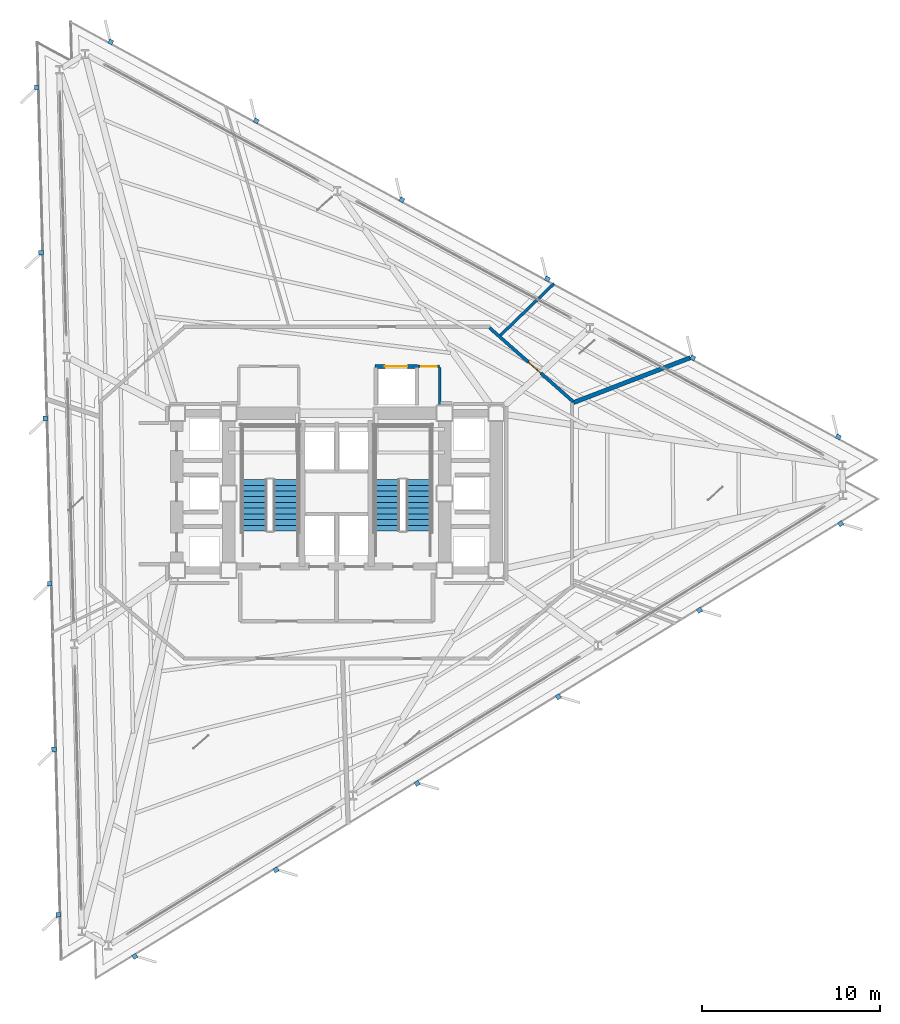
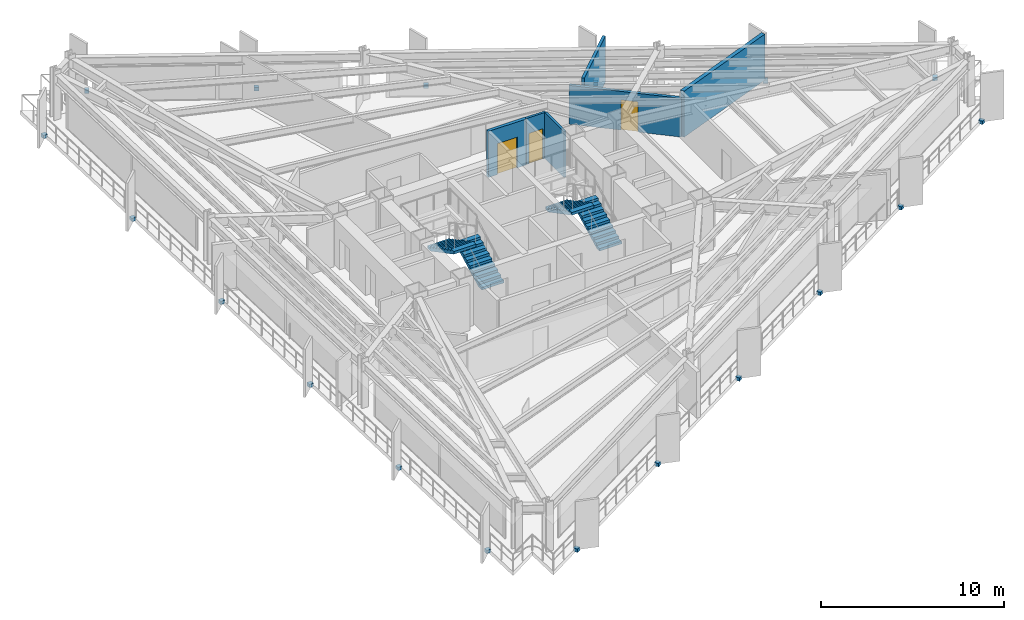
# One storey, part 9 of 14: 18 discrete accessories, 6 walls, 4 stair flights, 3 doors, 3 openings, 2 elements without a shape of their own.
"""IFC4 building model written with IfcOpenShell, lengths in metres."""

from ifc_helpers import new_model, si_unit, direction, frame, frame_2d, origin, origin_2d, place, context, subcontext, project, spatial, polyline, rectangle, outline, extrude, material, layer, layer_set, type_object, element, fill, aggregate, save


model = new_model("IFC4")

# Units and contexts
model_context = context("Model", 3, precision=1e-05, world=origin(), true_north=direction((0.0, 1.0)))
body_context = subcontext(model_context, "Body", "Model", "MODEL_VIEW")
ifc_project = project(units=[si_unit("LENGTHUNIT", "METRE"), si_unit("AREAUNIT", "SQUARE_METRE"), si_unit("VOLUMEUNIT", "CUBIC_METRE"), si_unit("PLANEANGLEUNIT", "RADIAN"), si_unit("MASSUNIT", "GRAM", prefix="KILO")], contexts=[model_context])

# Site, building, storey
site_placement = place(None, origin())
site = spatial("IfcSite", under=ifc_project, at=site_placement, CompositionType="ELEMENT")
building_placement = place(site_placement, origin())
building = spatial("IfcBuilding", under=site, at=building_placement, Name="Rocaltana Carrier Exchange", CompositionType="ELEMENT")
storey_placement = place(building_placement, frame((0.0, 0.0, 22.239990234375)))
storey = spatial("IfcBuildingStorey", under=building, at=storey_placement, Name="L07", CompositionType="ELEMENT", Elevation=22.239990234375)

# Wall
ifc_material_1 = material(Name="Double Acoustic Gypsum Partition", Category="gypsum")
ifc_layer_1 = layer(ifc_material_1, 0.159912109375)
ifc_layer_set_1 = layer_set([ifc_layer_1], Name="Double Acoustic Gypsum Partition")
wall_type_1 = type_object("IfcWallType", Name="Acoustic Studio Partition 160 EI60", PredefinedType="PARTITIONING", material=ifc_layer_set_1)
wall_1_placement = place(storey_placement, frame((9.17529296875, 8.860595703125, 0.0), z_axis=(0.0, 0.0, 1.0), x_axis=(0.719367279815, 0.694629913502, 0.0)))
element("IfcWall", 1, at=wall_1_placement, inside=storey, type_object=wall_type_1, Name="L07 Suite Divider Wall D6", PredefinedType="PARTITIONING", context=body_context, shape_type="SweptSolid", body=[
    extrude(rectangle(XDim=4.1845703125, YDim=0.159912109375, at=frame_2d((2.09228515625, 0.0))), origin(), (0.0, 0.0, 1.0), 3.072998046875),
])

# Wall, opening, door
ifc_material_2 = material(Name="Gypsum & Steel Stud Partition", Category="steel")
ifc_layer_2 = layer(ifc_material_2, 0.179931640625)
ifc_layer_set_2 = layer_set([ifc_layer_2], Name="Gypsum & Steel Stud Partition")
wall_type_2 = type_object("IfcWallType", Name="Corridor Fire Partition 180 EI60", PredefinedType="PARTITIONING", material=ifc_layer_set_2)
wall_2_placement = place(storey_placement, frame((8.5673828125, 9.290283203125, 0.0), z_axis=(0.0, 0.0, 1.0), x_axis=(0.749626463267, -0.66186113768, 0.0)))
wall_2 = element("IfcWall", 2, at=wall_2_placement, inside=storey, type_object=wall_type_2, Name="L07 Corridor Partition 2", PredefinedType="PARTITIONING", context=body_context, shape_type="SweptSolid", body=[
    extrude(rectangle(XDim=6.27001953125, YDim=0.179931640625, at=frame_2d((3.135009765625, 0.0))), origin(), (0.0, 0.0, 1.0), 2.5869140625),
])
opening_1_placement = place(wall_2_placement, frame((2.89501953125, 0.0, 0.0)))
opening_1 = element("IfcOpeningElement", 3, at=opening_1_placement, cuts=wall_2, Name="Opening D-RM098", PredefinedType="OPENING", context=body_context, shape_type="SweptSolid", body=[
    extrude(rectangle(XDim=0.9599609375, YDim=2.02001953125, at=frame_2d((0.47998046875, 1.010009765625))), frame((0.0, 0.099853515625, 0.0), z_axis=(0.0, -1.0, 0.0), x_axis=(1.0, 0.0, 0.0)), (0.0, 0.0, 1.0), 0.199951171875),
])
ifc_material_3 = material(Name="Engineered Hardwood Timber", Category="wood")
door_type_1 = type_object("IfcDoorType", Name="Workspace Single Door 960x2020", OperationType="NOTDEFINED", PredefinedType="DOOR", material=ifc_material_3)
door_1_placement = place(opening_1_placement, origin())
door_1 = element("IfcDoor", 4, at=door_1_placement, inside=storey, type_object=door_type_1, Name="L07 Peering Conference Room Entrance Door", OperationType="SINGLE_SWING_RIGHT", OverallHeight=2.02001953125, OverallWidth=0.9599609375, PredefinedType="DOOR", context=body_context, shape_type="SweptSolid", body=[
    extrude(rectangle(XDim=0.9599609375, YDim=2.02001953125, at=frame_2d((0.47998046875, 1.010009765625))), frame((0.0, 0.02490234375, 0.0), z_axis=(0.0, -1.0, 0.0), x_axis=(1.0, 0.0, 0.0)), (0.0, 0.0, 1.0), 0.050048828125),
])
fill(opening_1, door_1)

# Wall
ifc_material_4 = material(Name="Acoustic Calcium Silicate Partition", Category="gypsum")
ifc_layer_3 = layer(ifc_material_4, 0.239990234375)
ifc_layer_set_3 = layer_set([ifc_layer_3], Name="Acoustic Calcium Silicate Partition")
wall_type_3 = type_object("IfcWallType", Name="Heavy Lab Partition 240 EI90", PredefinedType="PARTITIONING", material=ifc_layer_set_3)
wall_3_placement = place(storey_placement, frame((13.280029296875, 5.09765625, 0.0), z_axis=(0.0, 0.0, 1.0), x_axis=(0.933577510578, 0.358375545681, 0.0)))
element("IfcWall", 5, at=wall_3_placement, inside=storey, type_object=wall_type_3, Name="L07 Suite Divider Wall D5", PredefinedType="PARTITIONING", context=body_context, shape_type="SweptSolid", body=[
    extrude(rectangle(XDim=7.021484375, YDim=0.239990234375, at=frame_2d((3.5107421875, 0.0))), origin(), (0.0, 0.0, 1.0), 3.072998046875),
])

# Wall, opening, door
ifc_material_5 = material(Name="Reinforced Concrete Block C35/45", Category="concrete")
ifc_layer_4 = layer(ifc_material_5, 0.199951171875)
ifc_layer_set_4 = layer_set([ifc_layer_4], Name="Reinforced Concrete Block C35/45")
wall_type_4 = type_object("IfcWallType", Name="Lift Hoistway Enclosure Wall 200 EI120", PredefinedType="PARTITIONING", material=ifc_layer_set_4)
wall_4_placement = place(storey_placement, frame((2.14990234375, 7.1201171875, 0.0), z_axis=(0.0, 0.0, 1.0), x_axis=(1.0, 0.0, 0.0)))
wall_4 = element("IfcWall", 6, at=wall_4_placement, inside=storey, type_object=wall_type_4, Name="L07 Goods Lift Front Wall", PredefinedType="PARTITIONING", context=body_context, shape_type="SweptSolid", body=[
    extrude(rectangle(XDim=2.380126953125, YDim=0.199951171875, at=frame_2d((1.18994140625, 0.0))), origin(), (0.0, 0.0, 1.0), 3.072998046875),
])
opening_2_placement = place(wall_4_placement, frame((0.56005859375, 0.0, 0.0)))
opening_2 = element("IfcOpeningElement", 7, at=opening_2_placement, cuts=wall_4, Name="Opening LD-130", PredefinedType="OPENING", context=body_context, shape_type="SweptSolid", body=[
    extrude(rectangle(XDim=1.260009765625, YDim=2.06005859375, at=frame_2d((0.6298828125, 1.030029296875))), frame((0.0, 0.10986328125, 0.0), z_axis=(0.0, -1.0, 0.0), x_axis=(1.0, 0.0, 0.0)), (0.0, 0.0, 1.0), 0.219970703125),
])
ifc_material_6 = material(Name="Brushed Stainless Sliding Door Leaf", Category="steel")
door_type_2 = type_object("IfcDoorType", Name="Goods Lift Landing Sliding Door 1260x2060", OperationType="NOTDEFINED", PredefinedType="DOOR", material=ifc_material_6)
door_2_placement = place(opening_2_placement, origin())
door_2 = element("IfcDoor", 8, at=door_2_placement, inside=storey, type_object=door_type_2, Name="L07 Goods Lift GL-1 Landing Door", OperationType="SLIDING_TO_LEFT", OverallHeight=2.06005859375, OverallWidth=1.260009765625, PredefinedType="DOOR", context=body_context, shape_type="SweptSolid", body=[
    extrude(rectangle(XDim=1.260009765625, YDim=2.06005859375, at=frame_2d((0.6298828125, 1.030029296875))), frame((0.0, 0.02490234375, 0.0), z_axis=(0.0, -1.0, 0.0), x_axis=(1.0, 0.0, 0.0)), (0.0, 0.0, 1.0), 0.050048828125),
])
fill(opening_2, door_2)

# Wall
ifc_material_7 = material(Name="Moisture-Resistant Masonry C30/37", Category="masonry")
ifc_layer_5 = layer(ifc_material_7, 0.139892578125)
ifc_layer_set_5 = layer_set([ifc_layer_5], Name="Moisture-Resistant Masonry C30/37")
wall_type_5 = type_object("IfcWallType", Name="Wet-Area Sanitary Partition 140", PredefinedType="PARTITIONING", material=ifc_layer_set_5)
wall_5_placement = place(storey_placement, frame((5.780029296875, 4.949951171875, 0.0), z_axis=(0.0, 0.0, 1.0), x_axis=(0.0, 1.0, 0.0)))
element("IfcWall", 9, at=wall_5_placement, inside=storey, type_object=wall_type_5, Name="L07 Restroom East Wall", PredefinedType="PARTITIONING", context=body_context, shape_type="SweptSolid", body=[
    extrude(rectangle(XDim=2.10009765625, YDim=0.139892578125, at=frame_2d((1.050048828125, 0.0))), origin(), (0.0, 0.0, 1.0), 3.072998046875),
])

# Wall, opening, door
wall_6_placement = place(storey_placement, frame((4.56005859375, 7.1201171875, 0.0), z_axis=(0.0, 0.0, 1.0), x_axis=(1.0, 0.0, 0.0)))
wall_6 = element("IfcWall", 10, at=wall_6_placement, inside=storey, type_object=wall_type_5, Name="L07 Restroom North Wall", PredefinedType="PARTITIONING", context=body_context, shape_type="SweptSolid", body=[
    extrude(rectangle(XDim=1.219970703125, YDim=0.139892578125, at=frame_2d((0.60986328125, 0.0))), origin(), (0.0, 0.0, 1.0), 3.072998046875),
])
opening_3_placement = place(wall_6_placement, frame((0.169921875, 0.0, 0.0)))
opening_3 = element("IfcOpeningElement", 11, at=opening_3_placement, cuts=wall_6, Name="Opening D-WC090", PredefinedType="OPENING", context=body_context, shape_type="SweptSolid", body=[
    extrude(rectangle(XDim=0.8798828125, YDim=2.02001953125, at=frame_2d((0.43994140625, 1.010009765625))), frame((0.0, 0.079833984375, 0.0), z_axis=(0.0, -1.0, 0.0), x_axis=(1.0, 0.0, 0.0)), (0.0, 0.0, 1.0), 0.159912109375),
])
ifc_material_8 = material(Name="High-Pressure Laminate Timber", Category="wood")
door_type_3 = type_object("IfcDoorType", Name="Restroom & Accessible WC Door 880x2020", OperationType="NOTDEFINED", PredefinedType="DOOR", material=ifc_material_8)
door_3_placement = place(opening_3_placement, origin())
door_3 = element("IfcDoor", 12, at=door_3_placement, inside=storey, type_object=door_type_3, Name="L07 Staff Restroom Door", OperationType="SINGLE_SWING_LEFT", OverallHeight=2.02001953125, OverallWidth=0.8798828125, PredefinedType="DOOR", context=body_context, shape_type="SweptSolid", body=[
    extrude(rectangle(XDim=0.8798828125, YDim=2.02001953125, at=frame_2d((0.43994140625, 1.010009765625))), frame((0.0, 0.02490234375, 0.0), z_axis=(0.0, -1.0, 0.0), x_axis=(1.0, 0.0, 0.0)), (0.0, 0.0, 1.0), 0.050048828125),
])
fill(opening_3, door_3)

# Stair, stair flights
ifc_material_9 = material(Name="Precast concrete C45/55", Category="concrete")
stair_type = type_object("IfcStairType", Name="Standard Dog-Leg Stair 160", PredefinedType="HALF_TURN_STAIR", material=ifc_material_9)
stair_1_placement = place(storey_placement, origin())
stair_1 = element("IfcStair", 13, at=stair_1_placement, inside=storey, type_object=stair_type, Name="L07 Core West Exit Stair ST-1", PredefinedType="HALF_TURN_STAIR")
ifc_material_10 = material(Name="Precast concrete C45/55", Category="concrete")
stair_flight_type = type_object("IfcStairFlightType", Name="Precast Stair Flight 160", PredefinedType="STRAIGHT", material=ifc_material_10)
stair_flight_1_placement = place(storey_placement, frame((-2.840087890625, -2.10009765625, 0.0), z_axis=(0.0, 0.0, 1.0), x_axis=(0.0, 1.0, 0.0)))
stair_flight_1 = element("IfcStairFlight", 14, at=stair_flight_1_placement, type_object=stair_flight_type, Name="ST-1 flight 1", NumberOfRisers=10, NumberOfTreads=9, PredefinedType="STRAIGHT", RiserHeight=0.168, TreadLength=0.32, context=body_context, shape_type="SweptSolid", body=[
    extrude(outline(polyline([(0.0, 0.0), (0.0, 0.16796875), (0.320068359375, 0.16796875), (0.320068359375, 0.3359375), (0.639892578125, 0.3359375), (0.639892578125, 0.50390625), (0.9599609375, 0.50390625), (0.9599609375, 0.672119140625), (1.280029296875, 0.672119140625), (1.280029296875, 0.840087890625), (1.60009765625, 0.840087890625), (1.60009765625, 1.008056640625), (1.919921875, 1.008056640625), (1.919921875, 1.176025390625), (2.239990234375, 1.176025390625), (2.239990234375, 1.343994140625), (2.56005859375, 1.343994140625), (2.56005859375, 1.511962890625), (2.8798828125, 1.511962890625), (2.8798828125, 1.679931640625), (2.8798828125, 1.331298828125), (0.343994140625, 0.0), (0.0, 0.0)])), frame((0.0, 0.699951171875, 0.0), z_axis=(0.0, -1.0, 0.0), x_axis=(1.0, 0.0, 0.0)), (0.0, 0.0, 1.0), 1.39990234375),
])
stair_flight_2_placement = place(storey_placement, frame((-4.60009765625, 0.780029296875, 1.679931640625), z_axis=(0.0, 0.0, 1.0), x_axis=(0.0, -1.0, 0.0)))
stair_flight_2 = element("IfcStairFlight", 15, at=stair_flight_2_placement, type_object=stair_flight_type, Name="ST-1 flight 2", NumberOfRisers=10, NumberOfTreads=9, PredefinedType="STRAIGHT", RiserHeight=0.168, TreadLength=0.32, context=body_context, shape_type="SweptSolid", body=[
    extrude(outline(polyline([(0.0, 0.0), (0.0, 0.16796875), (0.320068359375, 0.16796875), (0.320068359375, 0.3359375), (0.639892578125, 0.3359375), (0.639892578125, 0.50390625), (0.9599609375, 0.50390625), (0.9599609375, 0.672119140625), (1.280029296875, 0.672119140625), (1.280029296875, 0.840087890625), (1.60009765625, 0.840087890625), (1.60009765625, 1.008056640625), (1.919921875, 1.008056640625), (1.919921875, 1.176025390625), (2.239990234375, 1.176025390625), (2.239990234375, 1.343994140625), (2.56005859375, 1.343994140625), (2.56005859375, 1.511962890625), (2.8798828125, 1.511962890625), (2.8798828125, 1.679931640625), (2.8798828125, 1.331298828125), (0.343994140625, 0.0), (0.0, 0.0)])), frame((0.0, 0.699951171875, 0.0), z_axis=(0.0, -1.0, 0.0), x_axis=(1.0, 0.0, 0.0)), (0.0, 0.0, 1.0), 1.39990234375),
])
aggregate(stair_1, [stair_flight_1, stair_flight_2])

stair_2_placement = place(storey_placement, origin())
stair_2 = element("IfcStair", 16, at=stair_2_placement, inside=storey, type_object=stair_type, Name="L07 Core East Exit Stair ST-2", PredefinedType="HALF_TURN_STAIR")
stair_flight_3_placement = place(storey_placement, frame((4.60009765625, -2.10009765625, 0.0), z_axis=(0.0, 0.0, 1.0), x_axis=(0.0, 1.0, 0.0)))
stair_flight_3 = element("IfcStairFlight", 17, at=stair_flight_3_placement, type_object=stair_flight_type, Name="ST-2 flight 1", NumberOfRisers=10, NumberOfTreads=9, PredefinedType="STRAIGHT", RiserHeight=0.168, TreadLength=0.32, context=body_context, shape_type="SweptSolid", body=[
    extrude(outline(polyline([(0.0, 0.0), (0.0, 0.16796875), (0.320068359375, 0.16796875), (0.320068359375, 0.3359375), (0.639892578125, 0.3359375), (0.639892578125, 0.50390625), (0.9599609375, 0.50390625), (0.9599609375, 0.672119140625), (1.280029296875, 0.672119140625), (1.280029296875, 0.840087890625), (1.60009765625, 0.840087890625), (1.60009765625, 1.008056640625), (1.919921875, 1.008056640625), (1.919921875, 1.176025390625), (2.239990234375, 1.176025390625), (2.239990234375, 1.343994140625), (2.56005859375, 1.343994140625), (2.56005859375, 1.511962890625), (2.8798828125, 1.511962890625), (2.8798828125, 1.679931640625), (2.8798828125, 1.331298828125), (0.343994140625, 0.0), (0.0, 0.0)])), frame((0.0, 0.699951171875, 0.0), z_axis=(0.0, -1.0, 0.0), x_axis=(1.0, 0.0, 0.0)), (0.0, 0.0, 1.0), 1.39990234375),
])
stair_flight_4_placement = place(storey_placement, frame((2.840087890625, 0.780029296875, 1.679931640625), z_axis=(0.0, 0.0, 1.0), x_axis=(0.0, -1.0, 0.0)))
stair_flight_4 = element("IfcStairFlight", 18, at=stair_flight_4_placement, type_object=stair_flight_type, Name="ST-2 flight 2", NumberOfRisers=10, NumberOfTreads=9, PredefinedType="STRAIGHT", RiserHeight=0.168, TreadLength=0.32, context=body_context, shape_type="SweptSolid", body=[
    extrude(outline(polyline([(0.0, 0.0), (0.0, 0.16796875), (0.320068359375, 0.16796875), (0.320068359375, 0.3359375), (0.639892578125, 0.3359375), (0.639892578125, 0.50390625), (0.9599609375, 0.50390625), (0.9599609375, 0.672119140625), (1.280029296875, 0.672119140625), (1.280029296875, 0.840087890625), (1.60009765625, 0.840087890625), (1.60009765625, 1.008056640625), (1.919921875, 1.008056640625), (1.919921875, 1.176025390625), (2.239990234375, 1.176025390625), (2.239990234375, 1.343994140625), (2.56005859375, 1.343994140625), (2.56005859375, 1.511962890625), (2.8798828125, 1.511962890625), (2.8798828125, 1.679931640625), (2.8798828125, 1.331298828125), (0.343994140625, 0.0), (0.0, 0.0)])), frame((0.0, 0.699951171875, 0.0), z_axis=(0.0, -1.0, 0.0), x_axis=(1.0, 0.0, 0.0)), (0.0, 0.0, 1.0), 1.39990234375),
])
aggregate(stair_2, [stair_flight_3, stair_flight_4])

# Discrete accessories
ifc_material_11 = material(Name="Brushed Architectural Stainless Metal", Category="steel")
ifc_layer_6 = layer(ifc_material_11, 0.219970703125)
ifc_layer_set_6 = layer_set([ifc_layer_6], Name="Brushed Architectural Stainless Metal")
discrete_accessory_type = type_object("IfcDiscreteAccessoryType", Name="Stainless Fin Slab-Edge Bracket 260x260x220", PredefinedType="BRACKET", material=ifc_layer_set_6)
for number, where, z_axis, x_axis, name in (
    (19, (28.121337890625, 3.171875, -0.2099609375), (0.0, 0.0, 1.0), (-0.878817112662, 0.47715876026, 0.0), "L07 Sandstone Fin Edge Bracket F1-01"),
    (20, (19.9658203125, 7.599853515625, -0.2099609375), (0.0, 0.0, 1.0), (-0.878817112662, 0.47715876026, 0.0), "L07 Sandstone Fin Edge Bracket F1-02"),
    (21, (11.810546875, 12.02783203125, -0.2099609375), (0.0, 0.0, 1.0), (-0.878817112662, 0.47715876026, 0.0), "L07 Sandstone Fin Edge Bracket F1-03"),
    (22, (3.655029296875, 16.4560546875, -0.2099609375), (0.0, 0.0, 1.0), (-0.878817112662, 0.47715876026, 0.0), "L07 Sandstone Fin Edge Bracket F1-04"),
    (23, (-4.50048828125, 20.884033203125, -0.2099609375), (0.0, 0.0, 1.0), (-0.878817112662, 0.47715876026, 0.0), "L07 Sandstone Fin Edge Bracket F1-05"),
    (24, (-12.65576171875, 25.31201171875, -0.2099609375), (0.0, 0.0, 1.0), (-0.878817112662, 0.47715876026, 0.0), "L07 Sandstone Fin Edge Bracket F1-06"),
    (25, (-16.8076171875, 22.767822265625, -0.2099609375), (0.0, 0.0, 1.0), (0.026176948308, -0.999657324976, 0.0), "L07 Sandstone Fin Edge Bracket F2-01"),
    (26, (-16.564697265625, 13.490966796875, -0.2099609375), (0.0, 0.0, 1.0), (0.026176948308, -0.999657324976, 0.0), "L07 Sandstone Fin Edge Bracket F2-02"),
    (27, (-16.32177734375, 4.214111328125, -0.2099609375), (0.0, 0.0, 1.0), (0.026176948308, -0.999657324976, 0.0), "L07 Sandstone Fin Edge Bracket F2-03"),
    (28, (-16.078857421875, -5.0625, -0.2099609375), (0.0, 0.0, 1.0), (0.026176948308, -0.999657324976, 0.0), "L07 Sandstone Fin Edge Bracket F2-04"),
    (29, (-15.8359375, -14.33935546875, -0.2099609375), (0.0, 0.0, 1.0), (0.026176948308, -0.999657324976, 0.0), "L07 Sandstone Fin Edge Bracket F2-05"),
    (30, (-15.593017578125, -23.6162109375, -0.2099609375), (0.0, 0.0, 1.0), (0.026176948308, -0.999657324976, 0.0), "L07 Sandstone Fin Edge Bracket F2-06"),
    (31, (-11.313720703125, -25.939697265625, -0.2099609375), (0.0, 0.0, 1.0), (0.852640164354, 0.522498564716, 0.0), "L07 Sandstone Fin Edge Bracket F3-01"),
    (32, (-3.401123046875, -21.0908203125, -0.2099609375), (0.0, 0.0, 1.0), (0.852640164354, 0.522498564716, 0.0), "L07 Sandstone Fin Edge Bracket F3-02"),
    (33, (4.51123046875, -16.2421875, -0.2099609375), (0.0, 0.0, 1.0), (0.852640164354, 0.522498564716, 0.0), "L07 Sandstone Fin Edge Bracket F3-03"),
    (34, (12.423828125, -11.393310546875, -0.2099609375), (0.0, 0.0, 1.0), (0.852640164354, 0.522498564716, 0.0), "L07 Sandstone Fin Edge Bracket F3-04"),
    (35, (20.336181640625, -6.54443359375, -0.2099609375), (0.0, 0.0, 1.0), (0.852640164354, 0.522498564716, 0.0), "L07 Sandstone Fin Edge Bracket F3-05"),
    (36, (28.248779296875, -1.69580078125, -0.2099609375), (0.0, 0.0, 1.0), (0.852640164354, 0.522498564716, 0.0), "L07 Sandstone Fin Edge Bracket F3-06"),
):
    element("IfcDiscreteAccessory", number, at=place(storey_placement, frame(where, z_axis=z_axis, x_axis=x_axis)), inside=storey, type_object=discrete_accessory_type, Name=name, PredefinedType="BRACKET", context=body_context, shape_type="SweptSolid", body=[
        extrude(rectangle(XDim=0.260009765625, YDim=0.260009765625, at=origin_2d()), origin(), (0.0, 0.0, 1.0), 0.219970703125),
    ])

save(model, "model.ifc")
